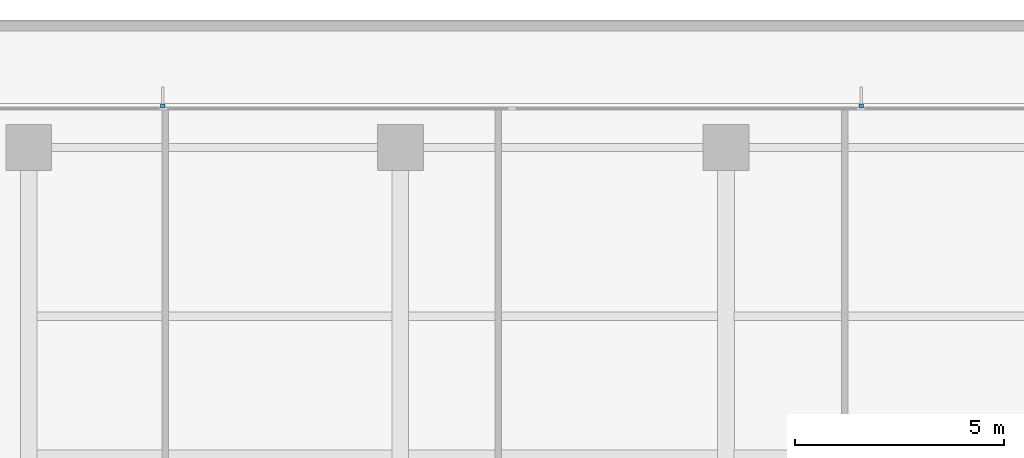
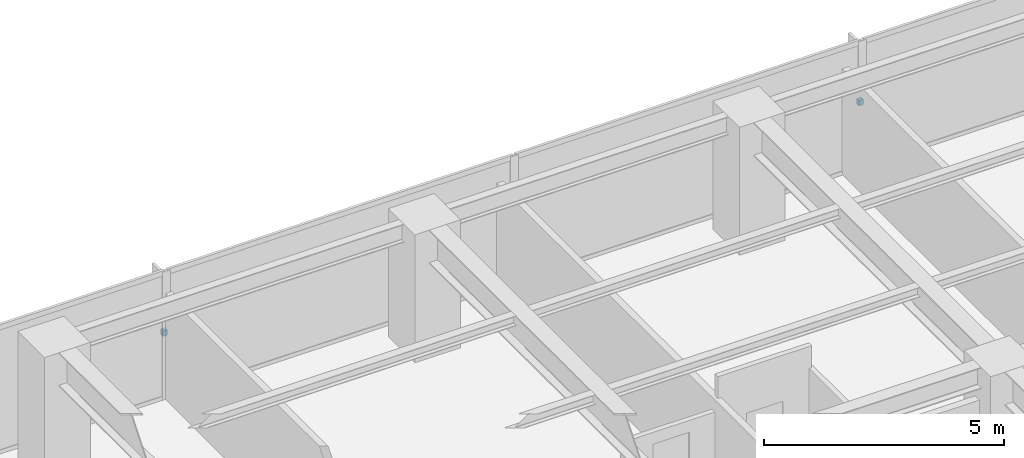
# One storey, part 14 of 16: 2 discrete accessories.
"""IFC4 building model written with IfcOpenShell, lengths in metres."""

from ifc_helpers import new_model, si_unit, direction, frame, origin, place, context, subcontext, project, spatial, polyline, outline, extrude, material, type_object, element, save


model = new_model("IFC4")

# Units and contexts
model_context = context("Model", 3, precision=1e-05, world=origin(), true_north=direction((0.0, 1.0)))
body_context = subcontext(model_context, "Body", "Model", "MODEL_VIEW")
ifc_project = project(units=[si_unit("LENGTHUNIT", "METRE"), si_unit("AREAUNIT", "SQUARE_METRE"), si_unit("VOLUMEUNIT", "CUBIC_METRE"), si_unit("PLANEANGLEUNIT", "RADIAN"), si_unit("MASSUNIT", "GRAM", prefix="KILO")], contexts=[model_context])

# Site, building, storey
site_placement = place(None, origin())
site = spatial("IfcSite", under=ifc_project, at=site_placement, CompositionType="ELEMENT")
building_placement = place(site_placement, origin())
building = spatial("IfcBuilding", under=site, at=building_placement, Name="Qalmaran Belvedere Hotel", CompositionType="ELEMENT")
storey_placement = place(building_placement, frame((0.0, 0.0, 138.60009765625)))
storey = spatial("IfcBuildingStorey", under=building, at=storey_placement, Name="L34", CompositionType="ELEMENT", Elevation=138.60009765625)

# Discrete accessories
ifc_material = material(Name="Stainless Steel 1.4401", Category="steel")
discrete_accessory_type = type_object("IfcDiscreteAccessoryType", Name="BRK-FIN-SS316", PredefinedType="BRACKET", material=ifc_material)
discrete_accessory_1_placement = place(storey_placement, frame((0.0, 0.0, 1.574951171875)))
element("IfcDiscreteAccessory", 1, at=discrete_accessory_1_placement, inside=storey, type_object=discrete_accessory_type, Name="L34 Fin Bracket 1", PredefinedType="BRACKET", context=body_context, shape_type="SweptSolid", body=[
    extrude(outline(polyline([(40.29248046875, 44.39501953125), (40.29248046875, 44.489990234375), (40.1826171875, 44.489990234375), (40.1826171875, 44.39501953125), (40.29248046875, 44.39501953125)])), origin(), (0.0, 0.0, 1.0), 0.139892578125),
])
discrete_accessory_2_placement = place(storey_placement, frame((0.0, 0.0, 1.574951171875)))
element("IfcDiscreteAccessory", 2, at=discrete_accessory_2_placement, inside=storey, type_object=discrete_accessory_type, Name="L34 Fin Bracket 3", PredefinedType="BRACKET", context=body_context, shape_type="SweptSolid", body=[
    extrude(outline(polyline([(23.5673828125, 44.39501953125), (23.5673828125, 44.489990234375), (23.45751953125, 44.489990234375), (23.45751953125, 44.39501953125), (23.5673828125, 44.39501953125)])), origin(), (0.0, 0.0, 1.0), 0.139892578125),
])

save(model, "model.ifc")
